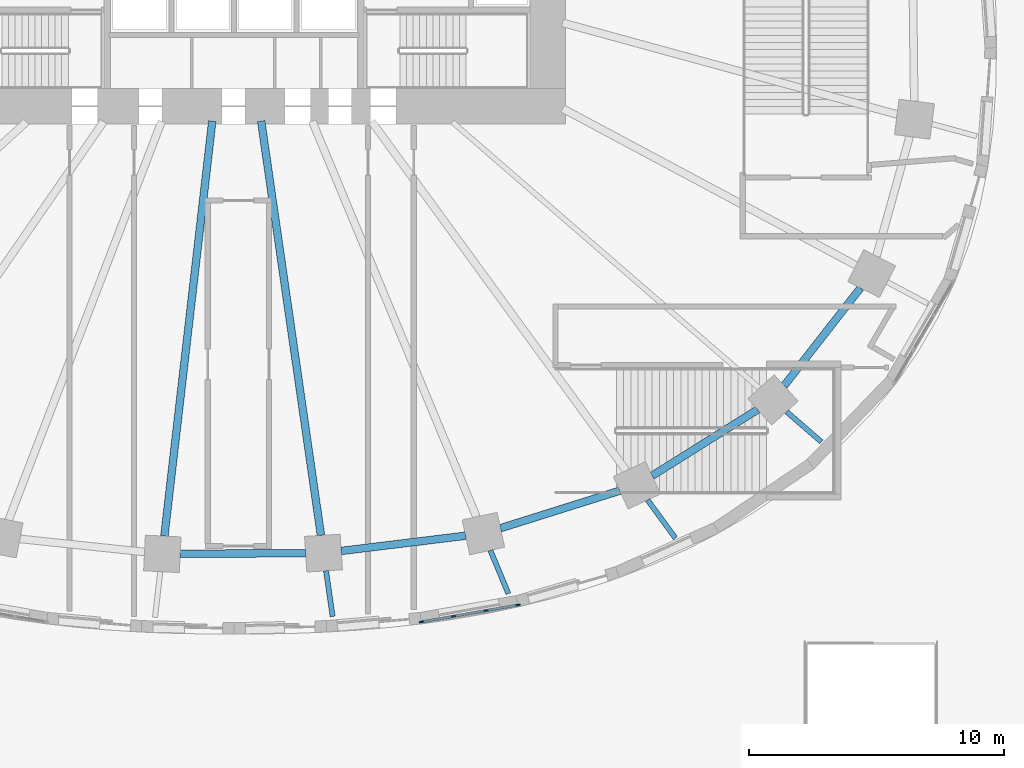
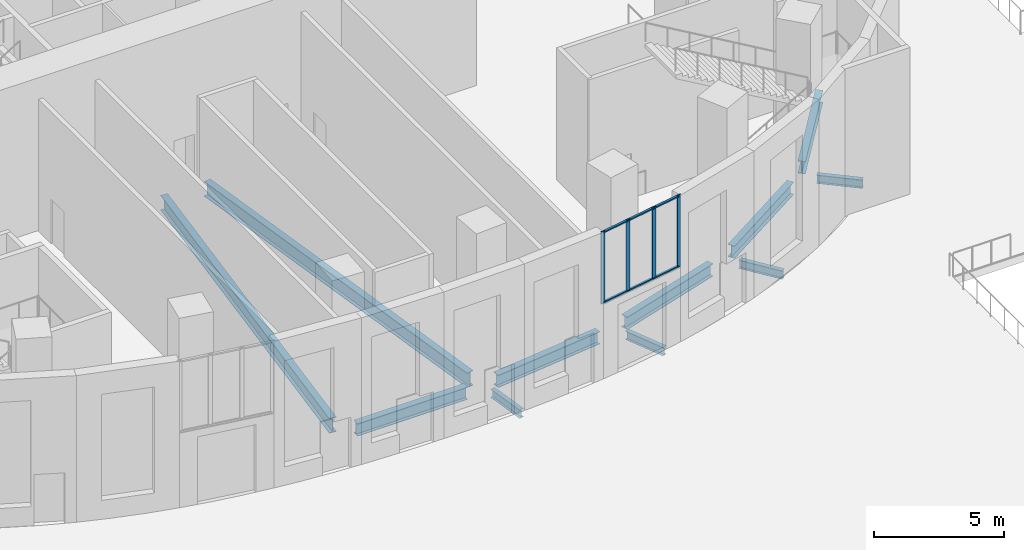
# One storey, part 3 of 27: 11 beams, 10 members, 1 element without a shape of its own.
"""IFC4 building model written with IfcOpenShell, lengths in metres."""

from ifc_helpers import new_model, si_unit, direction, frame, origin, origin_2d, place, context, subcontext, project, spatial, rectangle, i_section, extrude, material, material_profile, profile_set, type_object, element, aggregate, save


model = new_model("IFC4")

# Units and contexts
model_context = context("Model", 3, precision=1e-05, world=origin(), true_north=direction((0.0, 1.0)))
body_context = subcontext(model_context, "Body", "Model", "MODEL_VIEW")
ifc_project = project(units=[si_unit("LENGTHUNIT", "METRE"), si_unit("AREAUNIT", "SQUARE_METRE"), si_unit("VOLUMEUNIT", "CUBIC_METRE"), si_unit("PLANEANGLEUNIT", "RADIAN"), si_unit("MASSUNIT", "GRAM", prefix="KILO")], contexts=[model_context])

# Site, building, storey
site_placement = place(None, origin())
site = spatial("IfcSite", under=ifc_project, at=site_placement, CompositionType="ELEMENT")
building_placement = place(site_placement, origin())
building = spatial("IfcBuilding", under=site, at=building_placement, Name="Rubra Terraces Tower", CompositionType="ELEMENT")
storey_placement = place(building_placement, origin())
storey = spatial("IfcBuildingStorey", under=building, at=storey_placement, Name="L00", CompositionType="ELEMENT", Elevation=0.0)

# Beams
ifc_material_1 = material(Name="Steel Q355B", Category="steel")
ifc_material_profile_1 = material_profile(ifc_material_1, i_section(OverallWidth=0.199951171875, OverallDepth=0.39990234375, WebThickness=0.008056640625, FlangeThickness=0.012939453125, at=origin_2d()), Name="HN 400x200x8x13")
ifc_profile_set_1 = profile_set([ifc_material_profile_1], Name="Steel Q355B")
beam_type_1 = type_object("IfcBeamType", Name="CANTILEVER BEAM HN 400x200x8x13", PredefinedType="BEAM", material=ifc_profile_set_1)
beam_1_placement = place(storey_placement, frame((3.60888671875, -20.51904296875, -0.550048828125), z_axis=(0.142763772924, -0.989756790904, 0.0), x_axis=(0.989756790904, 0.142763772924, 0.0)))
element("IfcBeam", 1, at=beam_1_placement, inside=storey, type_object=beam_type_1, Name="beam-L00-cant-19", PredefinedType="BEAM", context=body_context, shape_type="SweptSolid", body=[
    extrude(i_section(OverallWidth=0.199951171875, OverallDepth=0.39990234375, WebThickness=0.008056640625, FlangeThickness=0.012939453125, at=origin_2d()), origin(), (0.0, 0.0, 1.0), 1.8076171875),
])
beam_2_placement = place(storey_placement, frame((10.052978515625, -19.715087890625, -0.550048828125), z_axis=(0.383493077266, -0.923543750826, 0.0), x_axis=(0.923543750826, 0.383493077266, 0.0)))
element("IfcBeam", 2, at=beam_2_placement, inside=storey, type_object=beam_type_1, Name="beam-L00-cant-20", PredefinedType="BEAM", context=body_context, shape_type="SweptSolid", body=[
    extrude(i_section(OverallWidth=0.199951171875, OverallDepth=0.39990234375, WebThickness=0.008056640625, FlangeThickness=0.012939453125, at=origin_2d()), origin(), (0.0, 0.0, 1.0), 1.838623046875),
])
beam_3_placement = place(storey_placement, frame((16.219970703125, -17.741943359375, -0.550048828125), z_axis=(0.589263865816, -0.80794065156, 0.0), x_axis=(0.80794065156, 0.589263865816, 0.0)))
element("IfcBeam", 3, at=beam_3_placement, inside=storey, type_object=beam_type_1, Name="beam-L00-cant-21", PredefinedType="BEAM", context=body_context, shape_type="SweptSolid", body=[
    extrude(i_section(OverallWidth=0.199951171875, OverallDepth=0.39990234375, WebThickness=0.008056640625, FlangeThickness=0.012939453125, at=origin_2d()), origin(), (0.0, 0.0, 1.0), 1.8466796875),
])
beam_4_placement = place(storey_placement, frame((21.66796875, -14.279052734375, -0.550048828125), z_axis=(0.755724760554, -0.654889369501, 0.0), x_axis=(0.654889369501, 0.755724760554, 0.0)))
element("IfcBeam", 4, at=beam_4_placement, inside=storey, type_object=beam_type_1, Name="beam-L00-cant-22", PredefinedType="BEAM", context=body_context, shape_type="SweptSolid", body=[
    extrude(i_section(OverallWidth=0.199951171875, OverallDepth=0.39990234375, WebThickness=0.008056640625, FlangeThickness=0.012939453125, at=origin_2d()), origin(), (0.0, 0.0, 1.0), 1.80615234375),
])

# Curtain wall, members
ifc_material_2 = material(Name="Aluminium and glass", Category="aluminium")
curtain_wall_type = type_object("IfcCurtainWallType", Name="Curtain wall Entrance screen glazing", PredefinedType="NOTDEFINED", material=ifc_material_2)
curtain_wall_placement = place(storey_placement, origin())
curtain_wall = element("IfcCurtainWall", 5, at=curtain_wall_placement, inside=storey, type_object=curtain_wall_type, Name="L00 entrance screen bay 33", PredefinedType="NOTDEFINED")
ifc_material_3 = material(Name="Aluminium, anodised dark grey", Category="aluminium")
ifc_material_profile_2 = material_profile(ifc_material_3, rectangle(XDim=0.06005859375, YDim=0.179931640625, at=origin_2d()), Name="AL 60x180")
ifc_profile_set_2 = profile_set([ifc_material_profile_2], Name="Aluminium, anodised dark grey")
member_type_1 = type_object("IfcMemberType", Name="Entrance screen glazing mullion 60 x 180", PredefinedType="MULLION", material=ifc_profile_set_2)
member_1_placement = place(storey_placement, frame((7.359619140625, -22.52099609375, 3.550048828125), z_axis=(0.0, 0.0, 1.0), x_axis=(-0.172816985997, 0.984953952909, 0.0)))
member_1 = element("IfcMember", 6, at=member_1_placement, type_object=member_type_1, Name="CW5 mullion 1", PredefinedType="MULLION", context=body_context, shape_type="SweptSolid", body=[
    extrude(rectangle(XDim=0.06005859375, YDim=0.179931640625, at=origin_2d()), origin(), (0.0, 0.0, 1.0), 3.39990234375),
])
member_2_placement = place(storey_placement, frame((8.606689453125, -22.302001953125, 3.550048828125), z_axis=(0.0, 0.0, 1.0), x_axis=(-0.172816985997, 0.984953952909, 0.0)))
member_2 = element("IfcMember", 7, at=member_2_placement, type_object=member_type_1, Name="CW5 mullion 2", PredefinedType="MULLION", context=body_context, shape_type="SweptSolid", body=[
    extrude(rectangle(XDim=0.06005859375, YDim=0.179931640625, at=origin_2d()), origin(), (0.0, 0.0, 1.0), 3.39990234375),
])
member_3_placement = place(storey_placement, frame((9.88330078125, -22.078125, 3.550048828125), z_axis=(0.0, 0.0, 1.0), x_axis=(-0.172816985997, 0.984953952909, 0.0)))
member_3 = element("IfcMember", 8, at=member_3_placement, type_object=member_type_1, Name="CW5 mullion 3", PredefinedType="MULLION", context=body_context, shape_type="SweptSolid", body=[
    extrude(rectangle(XDim=0.06005859375, YDim=0.179931640625, at=origin_2d()), origin(), (0.0, 0.0, 1.0), 3.39990234375),
])
member_4_placement = place(storey_placement, frame((11.13037109375, -21.859375, 3.550048828125), z_axis=(0.0, 0.0, 1.0), x_axis=(-0.172816985997, 0.984953952909, 0.0)))
member_4 = element("IfcMember", 9, at=member_4_placement, type_object=member_type_1, Name="CW5 mullion 4", PredefinedType="MULLION", context=body_context, shape_type="SweptSolid", body=[
    extrude(rectangle(XDim=0.06005859375, YDim=0.179931640625, at=origin_2d()), origin(), (0.0, 0.0, 1.0), 3.39990234375),
])
ifc_material_profile_3 = material_profile(ifc_material_3, rectangle(XDim=0.10009765625, YDim=0.06005859375, at=origin_2d()), Name="AL 100x60")
ifc_profile_set_3 = profile_set([ifc_material_profile_3], Name="Aluminium, anodised dark grey")
member_type_2 = type_object("IfcMemberType", Name="Entrance screen glazing transom 100 x 60", PredefinedType="USERDEFINED", material=ifc_profile_set_3)
member_5_placement = place(storey_placement, frame((7.38916015625, -22.515625, 3.60009765625), z_axis=(0.984980587948, 0.172665113342, 0.0), x_axis=(-0.172665113342, 0.984980587948, 0.0)))
member_5 = element("IfcMember", 10, at=member_5_placement, type_object=member_type_2, Name="CW5 transom 1.1", ObjectType="TRANSOM", PredefinedType="USERDEFINED", context=body_context, shape_type="SweptSolid", body=[
    extrude(rectangle(XDim=0.10009765625, YDim=0.06005859375, at=origin_2d()), origin(), (0.0, 0.0, 1.0), 1.2060546875),
])
member_6_placement = place(storey_placement, frame((7.38916015625, -22.515625, 6.89990234375), z_axis=(0.984980587948, 0.172665113342, 0.0), x_axis=(-0.172665113342, 0.984980587948, 0.0)))
member_6 = element("IfcMember", 11, at=member_6_placement, type_object=member_type_2, Name="CW5 transom 1.2", ObjectType="TRANSOM", PredefinedType="USERDEFINED", context=body_context, shape_type="SweptSolid", body=[
    extrude(rectangle(XDim=0.10009765625, YDim=0.06005859375, at=origin_2d()), origin(), (0.0, 0.0, 1.0), 1.2060546875),
])
member_7_placement = place(storey_placement, frame((8.63623046875, -22.296875, 3.60009765625), z_axis=(0.984954075797, 0.172816285607, 0.0), x_axis=(-0.172816285607, 0.984954075797, 0.0)))
member_7 = element("IfcMember", 12, at=member_7_placement, type_object=member_type_2, Name="CW5 transom 2.1", ObjectType="TRANSOM", PredefinedType="USERDEFINED", context=body_context, shape_type="SweptSolid", body=[
    extrude(rectangle(XDim=0.10009765625, YDim=0.06005859375, at=origin_2d()), origin(), (0.0, 0.0, 1.0), 1.236083984375),
])
member_8_placement = place(storey_placement, frame((8.63623046875, -22.296875, 6.89990234375), z_axis=(0.984954075797, 0.172816285607, 0.0), x_axis=(-0.172816285607, 0.984954075797, 0.0)))
member_8 = element("IfcMember", 13, at=member_8_placement, type_object=member_type_2, Name="CW5 transom 2.2", ObjectType="TRANSOM", PredefinedType="USERDEFINED", context=body_context, shape_type="SweptSolid", body=[
    extrude(rectangle(XDim=0.10009765625, YDim=0.06005859375, at=origin_2d()), origin(), (0.0, 0.0, 1.0), 1.236083984375),
])
member_9_placement = place(storey_placement, frame((9.912841796875, -22.072998046875, 3.60009765625), z_axis=(0.984946143475, 0.172861489216, 0.0), x_axis=(-0.172861489216, 0.984946143475, 0.0)))
member_9 = element("IfcMember", 14, at=member_9_placement, type_object=member_type_2, Name="CW5 transom 3.1", ObjectType="TRANSOM", PredefinedType="USERDEFINED", context=body_context, shape_type="SweptSolid", body=[
    extrude(rectangle(XDim=0.10009765625, YDim=0.06005859375, at=origin_2d()), origin(), (0.0, 0.0, 1.0), 1.2060546875),
])
member_10_placement = place(storey_placement, frame((9.912841796875, -22.072998046875, 6.89990234375), z_axis=(0.984946143475, 0.172861489216, 0.0), x_axis=(-0.172861489216, 0.984946143475, 0.0)))
member_10 = element("IfcMember", 15, at=member_10_placement, type_object=member_type_2, Name="CW5 transom 3.2", ObjectType="TRANSOM", PredefinedType="USERDEFINED", context=body_context, shape_type="SweptSolid", body=[
    extrude(rectangle(XDim=0.10009765625, YDim=0.06005859375, at=origin_2d()), origin(), (0.0, 0.0, 1.0), 1.2060546875),
])
aggregate(curtain_wall, [member_1, member_2, member_3, member_4, member_5, member_6, member_7, member_8, member_9, member_10])

# Beams
ifc_material_profile_4 = material_profile(ifc_material_1, i_section(OverallWidth=0.300048828125, OverallDepth=0.699951171875, WebThickness=0.012939453125, FlangeThickness=0.02392578125, at=origin_2d()), Name="HN 700x300x13x24")
ifc_profile_set_4 = profile_set([ifc_material_profile_4], Name="Steel Q355B")
beam_type_2 = type_object("IfcBeamType", Name="FLOOR BEAM HN 700x300x13x24", PredefinedType="BEAM", material=ifc_profile_set_4)
beam_5_placement = place(storey_placement, frame((-2.73095703125, -19.156982421875, -0.699951171875), z_axis=(0.114679535872, 0.993402538779, 0.0), x_axis=(-0.993402538779, 0.114679535872, 0.0)))
element("IfcBeam", 16, at=beam_5_placement, inside=storey, type_object=beam_type_2, Name="beam-L00-floor-18", PredefinedType="BEAM", context=body_context, shape_type="SweptSolid", body=[
    extrude(i_section(OverallWidth=0.300048828125, OverallDepth=0.699951171875, WebThickness=0.012939453125, FlangeThickness=0.02392578125, at=origin_2d()), origin(), (0.0, 0.0, 1.0), 16.384033203125),
])
beam_6_placement = place(storey_placement, frame((3.408935546875, -19.12890625, -0.699951171875), z_axis=(-0.142787075711, 0.9897534294, 0.0), x_axis=(-0.9897534294, -0.142787075711, 0.0)))
element("IfcBeam", 17, at=beam_6_placement, inside=storey, type_object=beam_type_2, Name="beam-L00-floor-19", PredefinedType="BEAM", context=body_context, shape_type="SweptSolid", body=[
    extrude(i_section(OverallWidth=0.300048828125, OverallDepth=0.699951171875, WebThickness=0.012939453125, FlangeThickness=0.02392578125, at=origin_2d()), origin(), (0.0, 0.0, 1.0), 16.416015625),
])
ifc_material_profile_5 = material_profile(ifc_material_1, i_section(OverallWidth=0.300048828125, OverallDepth=0.587890625, WebThickness=0.011962890625, FlangeThickness=0.02001953125, at=origin_2d()), Name="HM 588x300x12x20")
ifc_profile_set_5 = profile_set([ifc_material_profile_5], Name="Steel Q355B")
beam_type_3 = type_object("IfcBeamType", Name="SPANDREL BEAM HM 588x300x12x20", PredefinedType="SPANDREL", material=ifc_profile_set_5)
beam_7_placement = place(storey_placement, frame((-2.110107421875, -19.85107421875, -0.64404296875), z_axis=(0.999987924698, 0.004914311469, 0.0), x_axis=(-0.004914311469, 0.999987924698, 0.0)))
element("IfcBeam", 18, at=beam_7_placement, inside=storey, type_object=beam_type_3, Name="beam-L00-spandrel-18", PredefinedType="SPANDREL", context=body_context, shape_type="SweptSolid", body=[
    extrude(i_section(OverallWidth=0.300048828125, OverallDepth=0.587890625, WebThickness=0.011962890625, FlangeThickness=0.02001953125, at=origin_2d()), origin(), (0.0, 0.0, 1.0), 4.918212890625),
])
beam_8_placement = place(storey_placement, frame((4.205078125, -19.739013671875, -0.64404296875), z_axis=(0.992616576014, 0.12129440639, 0.0), x_axis=(-0.12129440639, 0.992616576014, 0.0)))
element("IfcBeam", 19, at=beam_8_placement, inside=storey, type_object=beam_type_3, Name="beam-L00-spandrel-19", PredefinedType="SPANDREL", context=body_context, shape_type="SweptSolid", body=[
    extrude(i_section(OverallWidth=0.300048828125, OverallDepth=0.587890625, WebThickness=0.011962890625, FlangeThickness=0.02001953125, at=origin_2d()), origin(), (0.0, 0.0, 1.0), 4.913330078125),
])
beam_9_placement = place(storey_placement, frame((10.450927734375, -18.846923828125, -0.64404296875), z_axis=(0.953954624663, 0.299950952796, 0.0), x_axis=(-0.299950952796, 0.953954624663, 0.0)))
element("IfcBeam", 20, at=beam_9_placement, inside=storey, type_object=beam_type_3, Name="beam-L00-spandrel-20", PredefinedType="SPANDREL", context=body_context, shape_type="SweptSolid", body=[
    extrude(i_section(OverallWidth=0.300048828125, OverallDepth=0.587890625, WebThickness=0.011962890625, FlangeThickness=0.02001953125, at=origin_2d()), origin(), (0.0, 0.0, 1.0), 4.900634765625),
])
beam_10_placement = place(storey_placement, frame((16.39697265625, -16.7900390625, -0.64404296875), z_axis=(0.847078460197, 0.531467856291, 0.0), x_axis=(-0.531467856291, 0.847078460197, 0.0)))
element("IfcBeam", 21, at=beam_10_placement, inside=storey, type_object=beam_type_3, Name="beam-L00-spandrel-21", PredefinedType="SPANDREL", context=body_context, shape_type="SweptSolid", body=[
    extrude(i_section(OverallWidth=0.300048828125, OverallDepth=0.587890625, WebThickness=0.011962890625, FlangeThickness=0.02001953125, at=origin_2d()), origin(), (0.0, 0.0, 1.0), 4.882568359375),
])
beam_11_placement = place(storey_placement, frame((21.572998046875, -13.257080078125, -0.64404296875), z_axis=(0.615577734286, 0.788076172112, 0.0), x_axis=(-0.788076172112, 0.615577734286, 0.0)))
element("IfcBeam", 22, at=beam_11_placement, inside=storey, type_object=beam_type_3, Name="beam-L00-spandrel-22", PredefinedType="SPANDREL", context=body_context, shape_type="SweptSolid", body=[
    extrude(i_section(OverallWidth=0.300048828125, OverallDepth=0.587890625, WebThickness=0.011962890625, FlangeThickness=0.02001953125, at=origin_2d()), origin(), (0.0, 0.0, 1.0), 4.85888671875),
])

save(model, "model.ifc")
